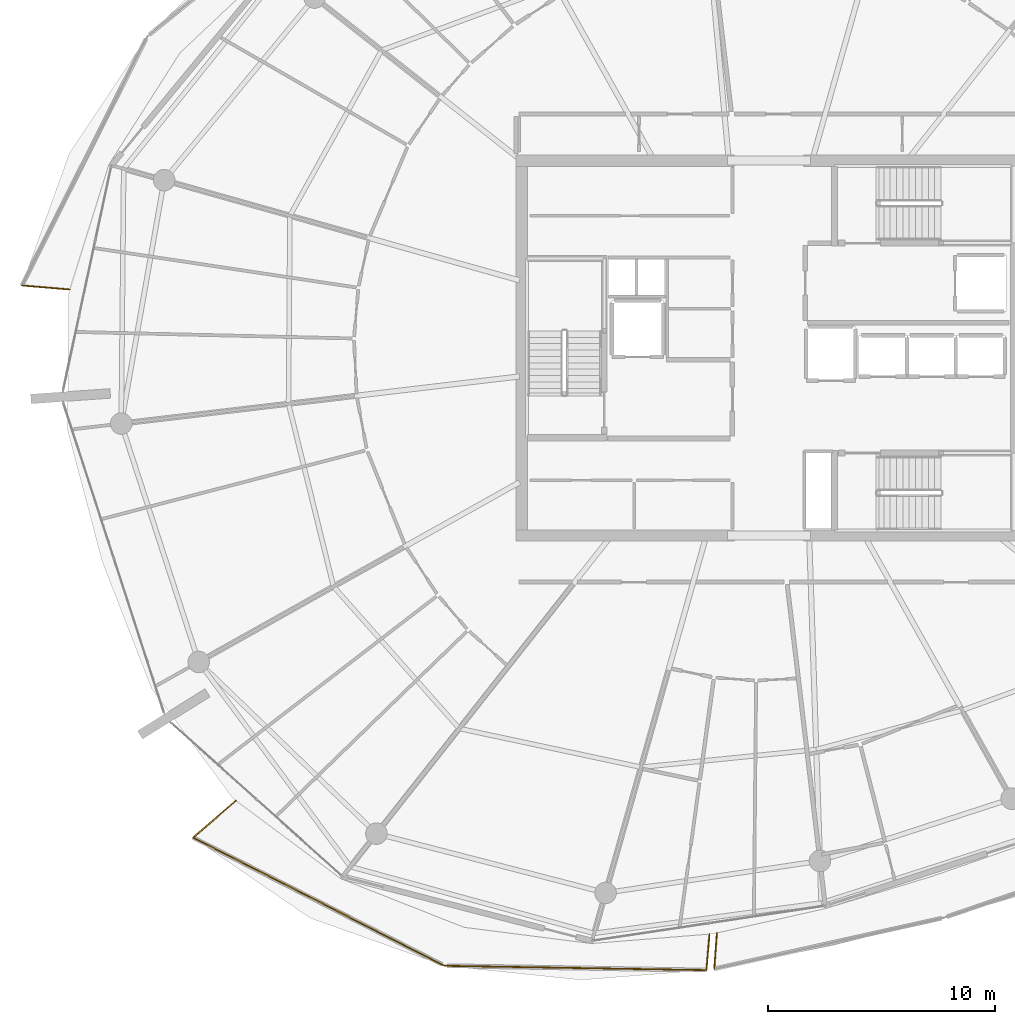
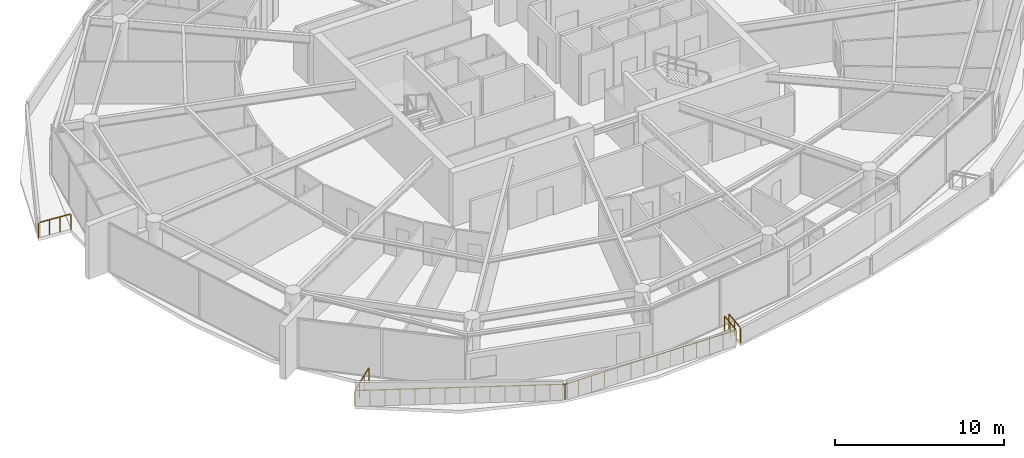
# One storey, part 23 of 29: 6 railings.
"""IFC4 building model written with IfcOpenShell, lengths in metres."""

from ifc_helpers import new_model, si_unit, direction, frame, origin, origin_2d, place, context, subcontext, project, spatial, rectangle, extrude, material, type_object, element, save


model = new_model("IFC4")

# Units and contexts
model_context = context("Model", 3, precision=1e-05, world=origin(), true_north=direction((0.0, 1.0)))
body_context = subcontext(model_context, "Body", "Model", "MODEL_VIEW")
ifc_project = project(units=[si_unit("LENGTHUNIT", "METRE"), si_unit("AREAUNIT", "SQUARE_METRE"), si_unit("VOLUMEUNIT", "CUBIC_METRE"), si_unit("PLANEANGLEUNIT", "RADIAN"), si_unit("MASSUNIT", "GRAM", prefix="KILO")], contexts=[model_context])

# Site, building, storey
site_placement = place(None, origin())
site = spatial("IfcSite", under=ifc_project, at=site_placement, CompositionType="ELEMENT")
building_placement = place(site_placement, origin())
building = spatial("IfcBuilding", under=site, at=building_placement, Name="Kazma Halo Residences", CompositionType="ELEMENT")
storey_placement = place(building_placement, frame((0.0, 0.0, 282.89990234375)))
storey = spatial("IfcBuildingStorey", under=building, at=storey_placement, Name="L71", CompositionType="ELEMENT", Elevation=282.89990234375)

# Railings
ifc_material = material(Name="Aluminium AW-6063 T6 Brushed Cap Rail", Category="aluminium")
railing_type = type_object("IfcRailingType", Name="RLG-BAL-CAP-1120", PredefinedType="BALUSTRADE", material=ifc_material)
railing_1_placement = place(storey_placement, frame((15.5458984375, 44.75390625, 0.0)))
element("IfcRailing", 1, at=railing_1_placement, inside=storey, type_object=railing_type, Name="L71 NW wave balcony guard 4", PredefinedType="BALUSTRADE", context=body_context, shape_type="SweptSolid", body=[
    extrude(rectangle(XDim=0.050048828125, YDim=0.050048828125, at=origin_2d()), frame((0.04248046875, -0.003662109375, 1.09521484375), z_axis=(0.996412127571, -0.084633752307, 0.0), x_axis=(0.084633752307, 0.996412127571, 0.0)), (0.0, 0.0, 1.0), 2.026611328125),
    extrude(rectangle(XDim=0.0400390625, YDim=0.0400390625, at=origin_2d()), origin(), (0.0, 0.0, 1.0), 1.05810546875),
    extrude(rectangle(XDim=0.0400390625, YDim=0.0400390625, at=origin_2d()), frame((0.701416015625, -0.0595703125, 0.0)), (0.0, 0.0, 1.0), 1.05810546875),
    extrude(rectangle(XDim=0.0400390625, YDim=0.0400390625, at=origin_2d()), frame((1.402587890625, -0.119140625, 0.0)), (0.0, 0.0, 1.0), 1.05810546875),
    extrude(rectangle(XDim=0.0400390625, YDim=0.0400390625, at=origin_2d()), frame((2.10400390625, -0.1787109375, 0.0)), (0.0, 0.0, 1.0), 1.05810546875),
])
railing_2_placement = place(storey_placement, frame((24.9599609375, 22.0771484375, 0.0)))
element("IfcRailing", 2, at=railing_2_placement, inside=storey, type_object=railing_type, Name="L71 SW wave balcony guard 1", PredefinedType="BALUSTRADE", context=body_context, shape_type="SweptSolid", body=[
    extrude(rectangle(XDim=0.050048828125, YDim=0.050048828125, at=origin_2d()), frame((-0.0322265625, -0.02783203125, 1.09521484375), z_axis=(-0.756451298214, -0.654050023645, 0.0), x_axis=(0.654050023645, -0.756451298214, 0.0)), (0.0, 0.0, 1.0), 2.396728515625),
    extrude(rectangle(XDim=0.0400390625, YDim=0.0400390625, at=origin_2d()), origin(), (0.0, 0.0, 1.0), 1.05810546875),
    extrude(rectangle(XDim=0.0400390625, YDim=0.0400390625, at=origin_2d()), frame((-0.625732421875, -0.541015625, 0.0)), (0.0, 0.0, 1.0), 1.05810546875),
    extrude(rectangle(XDim=0.0400390625, YDim=0.0400390625, at=origin_2d()), frame((-1.251708984375, -1.082275390625, 0.0)), (0.0, 0.0, 1.0), 1.05810546875),
    extrude(rectangle(XDim=0.0400390625, YDim=0.0400390625, at=origin_2d()), frame((-1.87744140625, -1.623291015625, 0.0)), (0.0, 0.0, 1.0), 1.05810546875),
])
railing_3_placement = place(storey_placement, frame((23.08251953125, 20.453857421875, 0.0)))
element("IfcRailing", 3, at=railing_3_placement, inside=storey, type_object=railing_type, Name="L71 SW wave balcony guard 2", PredefinedType="BALUSTRADE", context=body_context, shape_type="SweptSolid", body=[
    extrude(rectangle(XDim=0.050048828125, YDim=0.050048828125, at=origin_2d()), frame((0.037841796875, -0.019287109375, 1.09521484375), z_axis=(0.890888834387, -0.454221405004, 0.0), x_axis=(0.454221405004, 0.890888834387, 0.0)), (0.0, 0.0, 1.0), 12.334716796875),
    extrude(rectangle(XDim=0.0400390625, YDim=0.0400390625, at=origin_2d()), origin(), (0.0, 0.0, 1.0), 1.05810546875),
    extrude(rectangle(XDim=0.0400390625, YDim=0.0400390625, at=origin_2d()), frame((0.790283203125, -0.40283203125, 0.0)), (0.0, 0.0, 1.0), 1.05810546875),
    extrude(rectangle(XDim=0.0400390625, YDim=0.0400390625, at=origin_2d()), frame((1.58056640625, -0.805908203125, 0.0)), (0.0, 0.0, 1.0), 1.05810546875),
    extrude(rectangle(XDim=0.0400390625, YDim=0.0400390625, at=origin_2d()), frame((2.37109375, -1.208984375, 0.0)), (0.0, 0.0, 1.0), 1.05810546875),
    extrude(rectangle(XDim=0.0400390625, YDim=0.0400390625, at=origin_2d()), frame((3.161376953125, -1.61181640625, 0.0)), (0.0, 0.0, 1.0), 1.05810546875),
    extrude(rectangle(XDim=0.0400390625, YDim=0.0400390625, at=origin_2d()), frame((3.95166015625, -2.0146484375, 0.0)), (0.0, 0.0, 1.0), 1.05810546875),
    extrude(rectangle(XDim=0.0400390625, YDim=0.0400390625, at=origin_2d()), frame((4.741943359375, -2.417724609375, 0.0)), (0.0, 0.0, 1.0), 1.05810546875),
    extrude(rectangle(XDim=0.0400390625, YDim=0.0400390625, at=origin_2d()), frame((5.5322265625, -2.82080078125, 0.0)), (0.0, 0.0, 1.0), 1.05810546875),
    extrude(rectangle(XDim=0.0400390625, YDim=0.0400390625, at=origin_2d()), frame((6.32275390625, -3.2236328125, 0.0)), (0.0, 0.0, 1.0), 1.05810546875),
    extrude(rectangle(XDim=0.0400390625, YDim=0.0400390625, at=origin_2d()), frame((7.113037109375, -3.626708984375, 0.0)), (0.0, 0.0, 1.0), 1.05810546875),
    extrude(rectangle(XDim=0.0400390625, YDim=0.0400390625, at=origin_2d()), frame((7.9033203125, -4.029541015625, 0.0)), (0.0, 0.0, 1.0), 1.05810546875),
    extrude(rectangle(XDim=0.0400390625, YDim=0.0400390625, at=origin_2d()), frame((8.693603515625, -4.4326171875, 0.0)), (0.0, 0.0, 1.0), 1.05810546875),
    extrude(rectangle(XDim=0.0400390625, YDim=0.0400390625, at=origin_2d()), frame((9.484130859375, -4.83544921875, 0.0)), (0.0, 0.0, 1.0), 1.05810546875),
    extrude(rectangle(XDim=0.0400390625, YDim=0.0400390625, at=origin_2d()), frame((10.2744140625, -5.23828125, 0.0)), (0.0, 0.0, 1.0), 1.05810546875),
    extrude(rectangle(XDim=0.0400390625, YDim=0.0400390625, at=origin_2d()), frame((11.064697265625, -5.641357421875, 0.0)), (0.0, 0.0, 1.0), 1.05810546875),
])
railing_4_placement = place(storey_placement, frame((34.147216796875, 14.8125, 0.0)))
element("IfcRailing", 4, at=railing_4_placement, inside=storey, type_object=railing_type, Name="L71 SW wave balcony guard 3", PredefinedType="BALUSTRADE", context=body_context, shape_type="SweptSolid", body=[
    extrude(rectangle(XDim=0.050048828125, YDim=0.050048828125, at=origin_2d()), frame((0.04248046875, -0.000732421875, 1.09521484375), z_axis=(0.999862231462, -0.01659873776, 0.0), x_axis=(0.01659873776, 0.999862231462, 0.0)), (0.0, 0.0, 1.0), 11.4462890625),
    extrude(rectangle(XDim=0.0400390625, YDim=0.0400390625, at=origin_2d()), origin(), (0.0, 0.0, 1.0), 1.05810546875),
    extrude(rectangle(XDim=0.0400390625, YDim=0.0400390625, at=origin_2d()), frame((0.886962890625, -0.0146484375, 0.0)), (0.0, 0.0, 1.0), 1.05810546875),
    extrude(rectangle(XDim=0.0400390625, YDim=0.0400390625, at=origin_2d()), frame((1.77392578125, -0.029541015625, 0.0)), (0.0, 0.0, 1.0), 1.05810546875),
    extrude(rectangle(XDim=0.0400390625, YDim=0.0400390625, at=origin_2d()), frame((2.66064453125, -0.044189453125, 0.0)), (0.0, 0.0, 1.0), 1.05810546875),
    extrude(rectangle(XDim=0.0400390625, YDim=0.0400390625, at=origin_2d()), frame((3.547607421875, -0.058837890625, 0.0)), (0.0, 0.0, 1.0), 1.05810546875),
    extrude(rectangle(XDim=0.0400390625, YDim=0.0400390625, at=origin_2d()), frame((4.4345703125, -0.07373046875, 0.0)), (0.0, 0.0, 1.0), 1.05810546875),
    extrude(rectangle(XDim=0.0400390625, YDim=0.0400390625, at=origin_2d()), frame((5.321533203125, -0.08837890625, 0.0)), (0.0, 0.0, 1.0), 1.05810546875),
    extrude(rectangle(XDim=0.0400390625, YDim=0.0400390625, at=origin_2d()), frame((6.208251953125, -0.10302734375, 0.0)), (0.0, 0.0, 1.0), 1.05810546875),
    extrude(rectangle(XDim=0.0400390625, YDim=0.0400390625, at=origin_2d()), frame((7.09521484375, -0.11767578125, 0.0)), (0.0, 0.0, 1.0), 1.05810546875),
    extrude(rectangle(XDim=0.0400390625, YDim=0.0400390625, at=origin_2d()), frame((7.982177734375, -0.132568359375, 0.0)), (0.0, 0.0, 1.0), 1.05810546875),
    extrude(rectangle(XDim=0.0400390625, YDim=0.0400390625, at=origin_2d()), frame((8.869140625, -0.147216796875, 0.0)), (0.0, 0.0, 1.0), 1.05810546875),
    extrude(rectangle(XDim=0.0400390625, YDim=0.0400390625, at=origin_2d()), frame((9.755859375, -0.161865234375, 0.0)), (0.0, 0.0, 1.0), 1.05810546875),
    extrude(rectangle(XDim=0.0400390625, YDim=0.0400390625, at=origin_2d()), frame((10.642822265625, -0.1767578125, 0.0)), (0.0, 0.0, 1.0), 1.05810546875),
    extrude(rectangle(XDim=0.0400390625, YDim=0.0400390625, at=origin_2d()), frame((11.52978515625, -0.19140625, 0.0)), (0.0, 0.0, 1.0), 1.05810546875),
])
railing_5_placement = place(storey_placement, frame((45.677001953125, 14.62109375, 0.0)))
element("IfcRailing", 5, at=railing_5_placement, inside=storey, type_object=railing_type, Name="L71 SW wave balcony guard 4", PredefinedType="BALUSTRADE", context=body_context, shape_type="SweptSolid", body=[
    extrude(rectangle(XDim=0.050048828125, YDim=0.050048828125, at=origin_2d()), frame((0.003662109375, 0.04248046875, 1.09521484375), z_axis=(0.084430160174, 0.996429399432, 0.0), x_axis=(-0.996429399432, 0.084430160174, 0.0)), (0.0, 0.0, 1.0), 1.50537109375),
    extrude(rectangle(XDim=0.0400390625, YDim=0.0400390625, at=origin_2d()), origin(), (0.0, 0.0, 1.0), 1.05810546875),
    extrude(rectangle(XDim=0.0400390625, YDim=0.0400390625, at=origin_2d()), frame((0.067138671875, 0.79248046875, 0.0)), (0.0, 0.0, 1.0), 1.05810546875),
    extrude(rectangle(XDim=0.0400390625, YDim=0.0400390625, at=origin_2d()), frame((0.13427734375, 1.584716796875, 0.0)), (0.0, 0.0, 1.0), 1.05810546875),
])
railing_6_placement = place(storey_placement, frame((46.1318359375, 16.25390625, 0.0)))
element("IfcRailing", 6, at=railing_6_placement, inside=storey, type_object=railing_type, Name="L71 SSE wave balcony guard 1", PredefinedType="BALUSTRADE", context=body_context, shape_type="SweptSolid", body=[
    extrude(rectangle(XDim=0.050048828125, YDim=0.050048828125, at=origin_2d()), frame((-0.003173828125, -0.04248046875, 1.09521484375), z_axis=(-0.072374162312, -0.997377551697, 0.0), x_axis=(0.997377551697, -0.072374162312, 0.0)), (0.0, 0.0, 1.0), 1.50048828125),
    extrude(rectangle(XDim=0.0400390625, YDim=0.0400390625, at=origin_2d()), origin(), (0.0, 0.0, 1.0), 1.05810546875),
    extrude(rectangle(XDim=0.0400390625, YDim=0.0400390625, at=origin_2d()), frame((-0.057373046875, -0.79052734375, 0.0)), (0.0, 0.0, 1.0), 1.05810546875),
    extrude(rectangle(XDim=0.0400390625, YDim=0.0400390625, at=origin_2d()), frame((-0.11474609375, -1.581298828125, 0.0)), (0.0, 0.0, 1.0), 1.05810546875),
])

save(model, "model.ifc")
